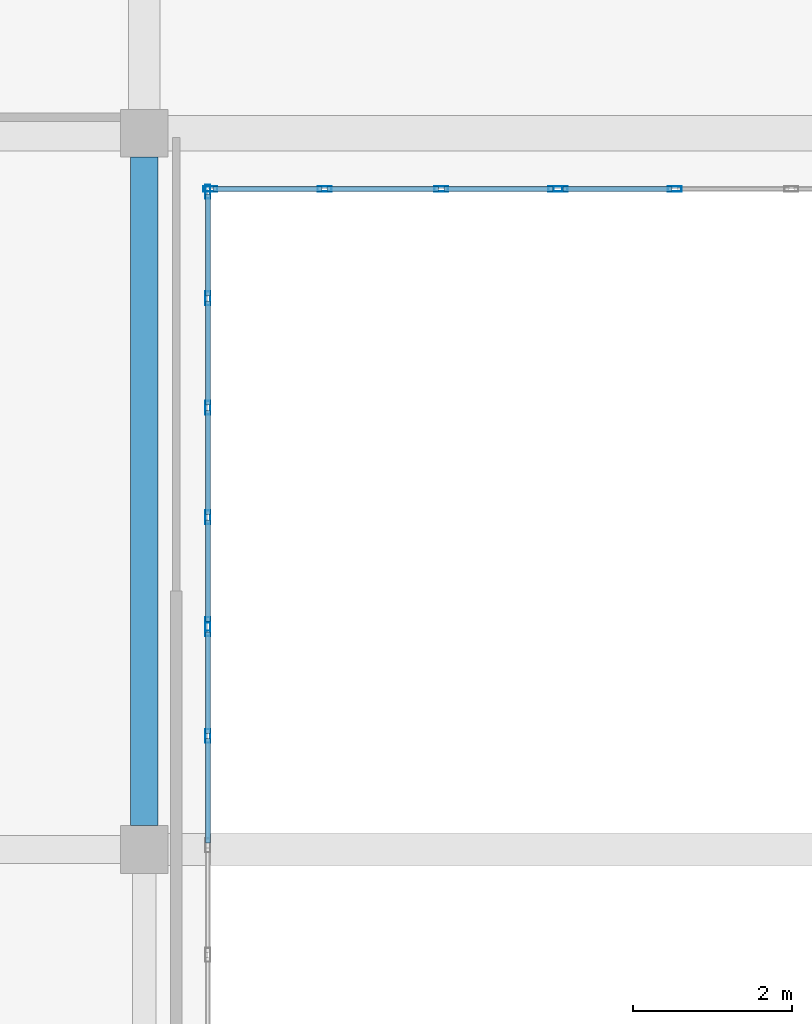
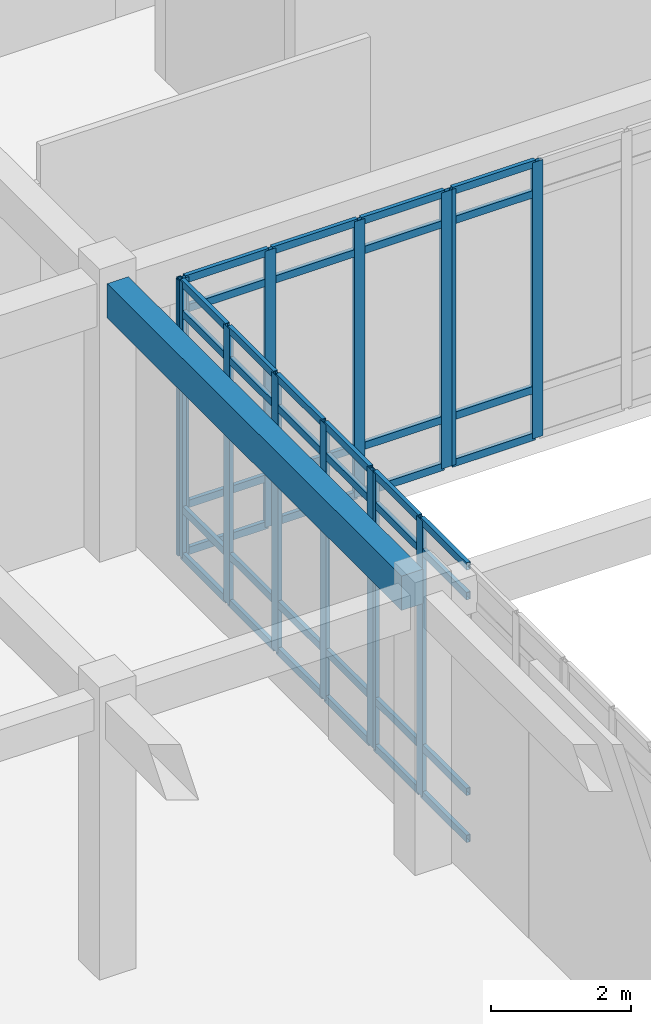
# One storey, part 70 of 121: 53 members, 1 beam, 4 elements without a shape of their own.
"""IFC4 building model written with IfcOpenShell, lengths in metres."""

from ifc_helpers import new_model, si_unit, direction, frame, origin, origin_2d, place, context, subcontext, project, spatial, rectangle, hollow_rectangle, extrude, material, layer, layer_set, material_profile, profile_set, type_object, element, aggregate, save


model = new_model("IFC4")

# Units and contexts
model_context = context("Model", 3, precision=1e-05, world=origin(), true_north=direction((0.0, 1.0)))
body_context = subcontext(model_context, "Body", "Model", "MODEL_VIEW")
ifc_project = project(units=[si_unit("LENGTHUNIT", "METRE"), si_unit("AREAUNIT", "SQUARE_METRE"), si_unit("VOLUMEUNIT", "CUBIC_METRE"), si_unit("PLANEANGLEUNIT", "RADIAN"), si_unit("MASSUNIT", "GRAM", prefix="KILO")], contexts=[model_context])

# Site, building, storey
site_placement = place(None, origin())
site = spatial("IfcSite", under=ifc_project, at=site_placement, CompositionType="ELEMENT")
building_placement = place(site_placement, origin())
building = spatial("IfcBuilding", under=site, at=building_placement, Name="Valcora Specialist Clinic", CompositionType="ELEMENT")
storey_placement = place(building_placement, origin())
storey = spatial("IfcBuildingStorey", under=building, at=storey_placement, Name="L00", CompositionType="ELEMENT", Elevation=0.0)

# Beam
ifc_material_1 = material(Name="Concrete C40/50", Category="concrete")
ifc_material_profile_1 = material_profile(ifc_material_1, rectangle(XDim=0.35009765625, YDim=0.60009765625, at=origin_2d()), Name="RC-BM-350X600")
ifc_profile_set_1 = profile_set([ifc_material_profile_1], Name="Concrete C40/50")
beam_type = type_object("IfcBeamType", Name="TY-BM-RC350X600", PredefinedType="BEAM", material=ifc_profile_set_1)
beam_placement = place(storey_placement, frame((111.199951171875, 90.5, 4.510009765625), z_axis=(0.0, 1.0, 0.0), x_axis=(-1.0, 0.0, 0.0)))
element("IfcBeam", 1, at=beam_placement, inside=storey, type_object=beam_type, Name="Beam BM-L00-0600", PredefinedType="BEAM", context=body_context, shape_type="SweptSolid", body=[
    extrude(rectangle(XDim=0.35009765625, YDim=0.60009765625, at=origin_2d()), origin(), (0.0, 0.0, 1.0), 8.39990234375),
])

# Curtain wall, members
ifc_material_2 = material(Name="Anodized Bronze Aluminium 6063-T6", Category="aluminium")
ifc_layer = layer(ifc_material_2, 0.175048828125)
ifc_layer_set = layer_set([ifc_layer], Name="Anodized Bronze Aluminium 6063-T6")
curtain_wall_type = type_object("IfcCurtainWallType", Name="TY-CW-CRT15", PredefinedType="NOTDEFINED", material=ifc_layer_set)
curtain_wall_1_placement = place(storey_placement, origin())
curtain_wall_1 = element("IfcCurtainWall", 2, at=curtain_wall_1_placement, inside=storey, type_object=curtain_wall_type, Name="Curtain wall CW-L00-048", PredefinedType="NOTDEFINED")
ifc_material_profile_2 = material_profile(ifc_material_2, hollow_rectangle(XDim=0.06494140625, YDim=0.175048828125, WallThickness=0.00390625, at=origin_2d()), Name="AL-MUL-65X175")
ifc_profile_set_2 = profile_set([ifc_material_profile_2], Name="Anodized Bronze Aluminium 6063-T6")
member_type_1 = type_object("IfcMemberType", Name="TY-CWM-65X175", PredefinedType="MULLION", material=ifc_profile_set_2)
member_1_placement = place(storey_placement, frame((117.86669921875, 98.5, 0.0), z_axis=(0.0, 0.0, 1.0), x_axis=(0.0, -1.0, 0.0)))
member_1 = element("IfcMember", 3, at=member_1_placement, type_object=member_type_1, Name="CW-CRT-15 mullion 3", PredefinedType="MULLION", context=body_context, shape_type="SweptSolid", body=[
    extrude(hollow_rectangle(XDim=0.06494140625, YDim=0.175048828125, WallThickness=0.00390625, at=origin_2d()), origin(), (0.0, 0.0, 1.0), 4.81005859375),
])
member_2_placement = place(storey_placement, frame((116.4326171875, 98.5, 0.0), z_axis=(0.0, 0.0, 1.0), x_axis=(0.0, -1.0, 0.0)))
member_2 = element("IfcMember", 4, at=member_2_placement, type_object=member_type_1, Name="CW-CRT-15 mullion 4", PredefinedType="MULLION", context=body_context, shape_type="SweptSolid", body=[
    extrude(hollow_rectangle(XDim=0.06494140625, YDim=0.175048828125, WallThickness=0.00390625, at=origin_2d()), origin(), (0.0, 0.0, 1.0), 4.81005859375),
])

curtain_wall_2_placement = place(storey_placement, origin())
curtain_wall_2 = element("IfcCurtainWall", 5, at=curtain_wall_2_placement, inside=storey, type_object=curtain_wall_type, Name="Curtain wall CW-L00-049", PredefinedType="NOTDEFINED")
member_3_placement = place(storey_placement, frame((116.367431640625, 98.5, 0.0), z_axis=(0.0, 0.0, 1.0), x_axis=(0.0, -1.0, 0.0)))
member_3 = element("IfcMember", 6, at=member_3_placement, type_object=member_type_1, Name="CW-CRT-15 mullion 1", PredefinedType="MULLION", context=body_context, shape_type="SweptSolid", body=[
    extrude(hollow_rectangle(XDim=0.06494140625, YDim=0.175048828125, WallThickness=0.00390625, at=origin_2d()), origin(), (0.0, 0.0, 1.0), 4.81005859375),
])
member_4_placement = place(storey_placement, frame((114.933349609375, 98.5, 0.0), z_axis=(0.0, 0.0, 1.0), x_axis=(0.0, -1.0, 0.0)))
member_4 = element("IfcMember", 7, at=member_4_placement, type_object=member_type_1, Name="CW-CRT-15 mullion 2", PredefinedType="MULLION", context=body_context, shape_type="SweptSolid", body=[
    extrude(hollow_rectangle(XDim=0.06494140625, YDim=0.175048828125, WallThickness=0.00390625, at=origin_2d()), origin(), (0.0, 0.0, 1.0), 4.81005859375),
])
member_5_placement = place(storey_placement, frame((113.466552734375, 98.5, 0.0), z_axis=(0.0, 0.0, 1.0), x_axis=(0.0, -1.0, 0.0)))
member_5 = element("IfcMember", 8, at=member_5_placement, type_object=member_type_1, Name="CW-CRT-15 mullion 3", PredefinedType="MULLION", context=body_context, shape_type="SweptSolid", body=[
    extrude(hollow_rectangle(XDim=0.06494140625, YDim=0.175048828125, WallThickness=0.00390625, at=origin_2d()), origin(), (0.0, 0.0, 1.0), 4.81005859375),
])
member_6_placement = place(storey_placement, frame((112.032470703125, 98.5, 0.0), z_axis=(0.0, 0.0, 1.0), x_axis=(0.0, -1.0, 0.0)))
member_6 = element("IfcMember", 9, at=member_6_placement, type_object=member_type_1, Name="CW-CRT-15 mullion 4", PredefinedType="MULLION", context=body_context, shape_type="SweptSolid", body=[
    extrude(hollow_rectangle(XDim=0.06494140625, YDim=0.175048828125, WallThickness=0.00390625, at=origin_2d()), origin(), (0.0, 0.0, 1.0), 4.81005859375),
])

curtain_wall_3_placement = place(storey_placement, origin())
curtain_wall_3 = element("IfcCurtainWall", 10, at=curtain_wall_3_placement, inside=storey, type_object=curtain_wall_type, Name="Curtain wall CW-L00-050", PredefinedType="NOTDEFINED")
member_7_placement = place(storey_placement, frame((112.0, 98.467529296875, 0.0), z_axis=(0.0, 0.0, 1.0), x_axis=(1.0, 0.0, 0.0)))
member_7 = element("IfcMember", 11, at=member_7_placement, type_object=member_type_1, Name="CW-CRT-15 mullion 1", PredefinedType="MULLION", context=body_context, shape_type="SweptSolid", body=[
    extrude(hollow_rectangle(XDim=0.06494140625, YDim=0.175048828125, WallThickness=0.00390625, at=origin_2d()), origin(), (0.0, 0.0, 1.0), 4.81005859375),
])
member_8_placement = place(storey_placement, frame((112.0, 97.125, 0.0), z_axis=(0.0, 0.0, 1.0), x_axis=(1.0, 0.0, 0.0)))
member_8 = element("IfcMember", 12, at=member_8_placement, type_object=member_type_1, Name="CW-CRT-15 mullion 2", PredefinedType="MULLION", context=body_context, shape_type="SweptSolid", body=[
    extrude(hollow_rectangle(XDim=0.06494140625, YDim=0.175048828125, WallThickness=0.00390625, at=origin_2d()), origin(), (0.0, 0.0, 1.0), 4.81005859375),
])
member_9_placement = place(storey_placement, frame((112.0, 95.75, 0.0), z_axis=(0.0, 0.0, 1.0), x_axis=(1.0, 0.0, 0.0)))
member_9 = element("IfcMember", 13, at=member_9_placement, type_object=member_type_1, Name="CW-CRT-15 mullion 3", PredefinedType="MULLION", context=body_context, shape_type="SweptSolid", body=[
    extrude(hollow_rectangle(XDim=0.06494140625, YDim=0.175048828125, WallThickness=0.00390625, at=origin_2d()), origin(), (0.0, 0.0, 1.0), 4.81005859375),
])
member_10_placement = place(storey_placement, frame((112.0, 94.375, 0.0), z_axis=(0.0, 0.0, 1.0), x_axis=(1.0, 0.0, 0.0)))
member_10 = element("IfcMember", 14, at=member_10_placement, type_object=member_type_1, Name="CW-CRT-15 mullion 4", PredefinedType="MULLION", context=body_context, shape_type="SweptSolid", body=[
    extrude(hollow_rectangle(XDim=0.06494140625, YDim=0.175048828125, WallThickness=0.00390625, at=origin_2d()), origin(), (0.0, 0.0, 1.0), 4.81005859375),
])
member_11_placement = place(storey_placement, frame((112.0, 93.032470703125, 0.0), z_axis=(0.0, 0.0, 1.0), x_axis=(1.0, 0.0, 0.0)))
member_11 = element("IfcMember", 15, at=member_11_placement, type_object=member_type_1, Name="CW-CRT-15 mullion 5", PredefinedType="MULLION", context=body_context, shape_type="SweptSolid", body=[
    extrude(hollow_rectangle(XDim=0.06494140625, YDim=0.175048828125, WallThickness=0.00390625, at=origin_2d()), origin(), (0.0, 0.0, 1.0), 4.81005859375),
])

curtain_wall_4_placement = place(storey_placement, origin())
curtain_wall_4 = element("IfcCurtainWall", 16, at=curtain_wall_4_placement, inside=storey, type_object=curtain_wall_type, Name="Curtain wall CW-L00-051", PredefinedType="NOTDEFINED")
member_12_placement = place(storey_placement, frame((112.0, 92.967529296875, 0.0), z_axis=(0.0, 0.0, 1.0), x_axis=(1.0, 0.0, 0.0)))
member_12 = element("IfcMember", 17, at=member_12_placement, type_object=member_type_1, Name="CW-CRT-15 mullion 1", PredefinedType="MULLION", context=body_context, shape_type="SweptSolid", body=[
    extrude(hollow_rectangle(XDim=0.06494140625, YDim=0.175048828125, WallThickness=0.00390625, at=origin_2d()), origin(), (0.0, 0.0, 1.0), 4.81005859375),
])
member_13_placement = place(storey_placement, frame((112.0, 91.625, 0.0), z_axis=(0.0, 0.0, 1.0), x_axis=(1.0, 0.0, 0.0)))
member_13 = element("IfcMember", 18, at=member_13_placement, type_object=member_type_1, Name="CW-CRT-15 mullion 2", PredefinedType="MULLION", context=body_context, shape_type="SweptSolid", body=[
    extrude(hollow_rectangle(XDim=0.06494140625, YDim=0.175048828125, WallThickness=0.00390625, at=origin_2d()), origin(), (0.0, 0.0, 1.0), 4.81005859375),
])

# Member
ifc_material_profile_3 = material_profile(ifc_material_2, hollow_rectangle(XDim=0.06494140625, YDim=0.1298828125, WallThickness=0.00390625, at=origin_2d()), Name="AL-TRN-65X130")
ifc_profile_set_3 = profile_set([ifc_material_profile_3], Name="Anodized Bronze Aluminium 6063-T6")
member_type_2 = type_object("IfcMemberType", Name="TY-CWT-65X130", PredefinedType="USERDEFINED", material=ifc_profile_set_3)
member_14_placement = place(storey_placement, frame((117.834228515625, 98.5, 0.032470703125), z_axis=(-1.0, 0.0, 0.0), x_axis=(0.0, -1.0, 0.0)))
member_14 = element("IfcMember", 19, at=member_14_placement, type_object=member_type_2, Name="CW-CRT-15 transom 3.1", ObjectType="TRANSOM", PredefinedType="USERDEFINED", context=body_context, shape_type="SweptSolid", body=[
    extrude(hollow_rectangle(XDim=0.06494140625, YDim=0.1298828125, WallThickness=0.00390625, at=origin_2d()), origin(), (0.0, 0.0, 1.0), 1.369140625),
])

member_15_placement = place(storey_placement, frame((117.834228515625, 98.5, 0.85009765625), z_axis=(-1.0, 0.0, 0.0), x_axis=(0.0, -1.0, 0.0)))
member_15 = element("IfcMember", 20, at=member_15_placement, type_object=member_type_2, Name="CW-CRT-15 transom 3.2", ObjectType="TRANSOM", PredefinedType="USERDEFINED", context=body_context, shape_type="SweptSolid", body=[
    extrude(hollow_rectangle(XDim=0.06494140625, YDim=0.1298828125, WallThickness=0.00390625, at=origin_2d()), origin(), (0.0, 0.0, 1.0), 1.369140625),
])

member_16_placement = place(storey_placement, frame((117.834228515625, 98.5, 4.260009765625), z_axis=(-1.0, 0.0, 0.0), x_axis=(0.0, -1.0, 0.0)))
member_16 = element("IfcMember", 21, at=member_16_placement, type_object=member_type_2, Name="CW-CRT-15 transom 3.3", ObjectType="TRANSOM", PredefinedType="USERDEFINED", context=body_context, shape_type="SweptSolid", body=[
    extrude(hollow_rectangle(XDim=0.06494140625, YDim=0.1298828125, WallThickness=0.00390625, at=origin_2d()), origin(), (0.0, 0.0, 1.0), 1.369140625),
])

member_17_placement = place(storey_placement, frame((117.834228515625, 98.5, 4.777587890625), z_axis=(-1.0, 0.0, 0.0), x_axis=(0.0, -1.0, 0.0)))
member_17 = element("IfcMember", 22, at=member_17_placement, type_object=member_type_2, Name="CW-CRT-15 transom 3.4", ObjectType="TRANSOM", PredefinedType="USERDEFINED", context=body_context, shape_type="SweptSolid", body=[
    extrude(hollow_rectangle(XDim=0.06494140625, YDim=0.1298828125, WallThickness=0.00390625, at=origin_2d()), origin(), (0.0, 0.0, 1.0), 1.369140625),
])

aggregate(curtain_wall_1, [member_1, member_2, member_14, member_15, member_16, member_17])

member_18_placement = place(storey_placement, frame((116.3349609375, 98.5, 0.032470703125), z_axis=(-1.0, 0.0, 0.0), x_axis=(0.0, -1.0, 0.0)))
member_18 = element("IfcMember", 23, at=member_18_placement, type_object=member_type_2, Name="CW-CRT-15 transom 1.1", ObjectType="TRANSOM", PredefinedType="USERDEFINED", context=body_context, shape_type="SweptSolid", body=[
    extrude(hollow_rectangle(XDim=0.06494140625, YDim=0.1298828125, WallThickness=0.00390625, at=origin_2d()), origin(), (0.0, 0.0, 1.0), 1.369140625),
])

member_19_placement = place(storey_placement, frame((116.3349609375, 98.5, 0.85009765625), z_axis=(-1.0, 0.0, 0.0), x_axis=(0.0, -1.0, 0.0)))
member_19 = element("IfcMember", 24, at=member_19_placement, type_object=member_type_2, Name="CW-CRT-15 transom 1.2", ObjectType="TRANSOM", PredefinedType="USERDEFINED", context=body_context, shape_type="SweptSolid", body=[
    extrude(hollow_rectangle(XDim=0.06494140625, YDim=0.1298828125, WallThickness=0.00390625, at=origin_2d()), origin(), (0.0, 0.0, 1.0), 1.369140625),
])

member_20_placement = place(storey_placement, frame((116.3349609375, 98.5, 4.260009765625), z_axis=(-1.0, 0.0, 0.0), x_axis=(0.0, -1.0, 0.0)))
member_20 = element("IfcMember", 25, at=member_20_placement, type_object=member_type_2, Name="CW-CRT-15 transom 1.3", ObjectType="TRANSOM", PredefinedType="USERDEFINED", context=body_context, shape_type="SweptSolid", body=[
    extrude(hollow_rectangle(XDim=0.06494140625, YDim=0.1298828125, WallThickness=0.00390625, at=origin_2d()), origin(), (0.0, 0.0, 1.0), 1.369140625),
])

member_21_placement = place(storey_placement, frame((116.3349609375, 98.5, 4.777587890625), z_axis=(-1.0, 0.0, 0.0), x_axis=(0.0, -1.0, 0.0)))
member_21 = element("IfcMember", 26, at=member_21_placement, type_object=member_type_2, Name="CW-CRT-15 transom 1.4", ObjectType="TRANSOM", PredefinedType="USERDEFINED", context=body_context, shape_type="SweptSolid", body=[
    extrude(hollow_rectangle(XDim=0.06494140625, YDim=0.1298828125, WallThickness=0.00390625, at=origin_2d()), origin(), (0.0, 0.0, 1.0), 1.369140625),
])

member_22_placement = place(storey_placement, frame((114.90087890625, 98.5, 0.032470703125), z_axis=(-1.0, 0.0, 0.0), x_axis=(0.0, -1.0, 0.0)))
member_22 = element("IfcMember", 27, at=member_22_placement, type_object=member_type_2, Name="CW-CRT-15 transom 2.1", ObjectType="TRANSOM", PredefinedType="USERDEFINED", context=body_context, shape_type="SweptSolid", body=[
    extrude(hollow_rectangle(XDim=0.06494140625, YDim=0.1298828125, WallThickness=0.00390625, at=origin_2d()), origin(), (0.0, 0.0, 1.0), 1.401611328125),
])

member_23_placement = place(storey_placement, frame((114.90087890625, 98.5, 0.85009765625), z_axis=(-1.0, 0.0, 0.0), x_axis=(0.0, -1.0, 0.0)))
member_23 = element("IfcMember", 28, at=member_23_placement, type_object=member_type_2, Name="CW-CRT-15 transom 2.2", ObjectType="TRANSOM", PredefinedType="USERDEFINED", context=body_context, shape_type="SweptSolid", body=[
    extrude(hollow_rectangle(XDim=0.06494140625, YDim=0.1298828125, WallThickness=0.00390625, at=origin_2d()), origin(), (0.0, 0.0, 1.0), 1.401611328125),
])

member_24_placement = place(storey_placement, frame((114.90087890625, 98.5, 4.260009765625), z_axis=(-1.0, 0.0, 0.0), x_axis=(0.0, -1.0, 0.0)))
member_24 = element("IfcMember", 29, at=member_24_placement, type_object=member_type_2, Name="CW-CRT-15 transom 2.3", ObjectType="TRANSOM", PredefinedType="USERDEFINED", context=body_context, shape_type="SweptSolid", body=[
    extrude(hollow_rectangle(XDim=0.06494140625, YDim=0.1298828125, WallThickness=0.00390625, at=origin_2d()), origin(), (0.0, 0.0, 1.0), 1.401611328125),
])

member_25_placement = place(storey_placement, frame((114.90087890625, 98.5, 4.777587890625), z_axis=(-1.0, 0.0, 0.0), x_axis=(0.0, -1.0, 0.0)))
member_25 = element("IfcMember", 30, at=member_25_placement, type_object=member_type_2, Name="CW-CRT-15 transom 2.4", ObjectType="TRANSOM", PredefinedType="USERDEFINED", context=body_context, shape_type="SweptSolid", body=[
    extrude(hollow_rectangle(XDim=0.06494140625, YDim=0.1298828125, WallThickness=0.00390625, at=origin_2d()), origin(), (0.0, 0.0, 1.0), 1.401611328125),
])

member_26_placement = place(storey_placement, frame((113.43408203125, 98.5, 0.032470703125), z_axis=(-1.0, 0.0, 0.0), x_axis=(0.0, -1.0, 0.0)))
member_26 = element("IfcMember", 31, at=member_26_placement, type_object=member_type_2, Name="CW-CRT-15 transom 3.1", ObjectType="TRANSOM", PredefinedType="USERDEFINED", context=body_context, shape_type="SweptSolid", body=[
    extrude(hollow_rectangle(XDim=0.06494140625, YDim=0.1298828125, WallThickness=0.00390625, at=origin_2d()), origin(), (0.0, 0.0, 1.0), 1.369140625),
])

member_27_placement = place(storey_placement, frame((113.43408203125, 98.5, 0.85009765625), z_axis=(-1.0, 0.0, 0.0), x_axis=(0.0, -1.0, 0.0)))
member_27 = element("IfcMember", 32, at=member_27_placement, type_object=member_type_2, Name="CW-CRT-15 transom 3.2", ObjectType="TRANSOM", PredefinedType="USERDEFINED", context=body_context, shape_type="SweptSolid", body=[
    extrude(hollow_rectangle(XDim=0.06494140625, YDim=0.1298828125, WallThickness=0.00390625, at=origin_2d()), origin(), (0.0, 0.0, 1.0), 1.369140625),
])

member_28_placement = place(storey_placement, frame((113.43408203125, 98.5, 4.260009765625), z_axis=(-1.0, 0.0, 0.0), x_axis=(0.0, -1.0, 0.0)))
member_28 = element("IfcMember", 33, at=member_28_placement, type_object=member_type_2, Name="CW-CRT-15 transom 3.3", ObjectType="TRANSOM", PredefinedType="USERDEFINED", context=body_context, shape_type="SweptSolid", body=[
    extrude(hollow_rectangle(XDim=0.06494140625, YDim=0.1298828125, WallThickness=0.00390625, at=origin_2d()), origin(), (0.0, 0.0, 1.0), 1.369140625),
])

member_29_placement = place(storey_placement, frame((113.43408203125, 98.5, 4.777587890625), z_axis=(-1.0, 0.0, 0.0), x_axis=(0.0, -1.0, 0.0)))
member_29 = element("IfcMember", 34, at=member_29_placement, type_object=member_type_2, Name="CW-CRT-15 transom 3.4", ObjectType="TRANSOM", PredefinedType="USERDEFINED", context=body_context, shape_type="SweptSolid", body=[
    extrude(hollow_rectangle(XDim=0.06494140625, YDim=0.1298828125, WallThickness=0.00390625, at=origin_2d()), origin(), (0.0, 0.0, 1.0), 1.369140625),
])

aggregate(curtain_wall_2, [member_3, member_4, member_5, member_6, member_18, member_19, member_20, member_21, member_22, member_23, member_24, member_25, member_26, member_27, member_28, member_29])

member_30_placement = place(storey_placement, frame((112.0, 98.43505859375, 0.032470703125), z_axis=(0.0, -1.0, 0.0), x_axis=(1.0, 0.0, 0.0)))
member_30 = element("IfcMember", 35, at=member_30_placement, type_object=member_type_2, Name="CW-CRT-15 transom 1.1", ObjectType="TRANSOM", PredefinedType="USERDEFINED", context=body_context, shape_type="SweptSolid", body=[
    extrude(hollow_rectangle(XDim=0.06494140625, YDim=0.1298828125, WallThickness=0.00390625, at=origin_2d()), origin(), (0.0, 0.0, 1.0), 1.277587890625),
])

member_31_placement = place(storey_placement, frame((112.0, 98.43505859375, 0.85009765625), z_axis=(0.0, -1.0, 0.0), x_axis=(1.0, 0.0, 0.0)))
member_31 = element("IfcMember", 36, at=member_31_placement, type_object=member_type_2, Name="CW-CRT-15 transom 1.2", ObjectType="TRANSOM", PredefinedType="USERDEFINED", context=body_context, shape_type="SweptSolid", body=[
    extrude(hollow_rectangle(XDim=0.06494140625, YDim=0.1298828125, WallThickness=0.00390625, at=origin_2d()), origin(), (0.0, 0.0, 1.0), 1.277587890625),
])

member_32_placement = place(storey_placement, frame((112.0, 98.43505859375, 4.260009765625), z_axis=(0.0, -1.0, 0.0), x_axis=(1.0, 0.0, 0.0)))
member_32 = element("IfcMember", 37, at=member_32_placement, type_object=member_type_2, Name="CW-CRT-15 transom 1.3", ObjectType="TRANSOM", PredefinedType="USERDEFINED", context=body_context, shape_type="SweptSolid", body=[
    extrude(hollow_rectangle(XDim=0.06494140625, YDim=0.1298828125, WallThickness=0.00390625, at=origin_2d()), origin(), (0.0, 0.0, 1.0), 1.277587890625),
])

member_33_placement = place(storey_placement, frame((112.0, 98.43505859375, 4.777587890625), z_axis=(0.0, -1.0, 0.0), x_axis=(1.0, 0.0, 0.0)))
member_33 = element("IfcMember", 38, at=member_33_placement, type_object=member_type_2, Name="CW-CRT-15 transom 1.4", ObjectType="TRANSOM", PredefinedType="USERDEFINED", context=body_context, shape_type="SweptSolid", body=[
    extrude(hollow_rectangle(XDim=0.06494140625, YDim=0.1298828125, WallThickness=0.00390625, at=origin_2d()), origin(), (0.0, 0.0, 1.0), 1.277587890625),
])

member_34_placement = place(storey_placement, frame((112.0, 97.092529296875, 0.032470703125), z_axis=(0.0, -1.0, 0.0), x_axis=(1.0, 0.0, 0.0)))
member_34 = element("IfcMember", 39, at=member_34_placement, type_object=member_type_2, Name="CW-CRT-15 transom 2.1", ObjectType="TRANSOM", PredefinedType="USERDEFINED", context=body_context, shape_type="SweptSolid", body=[
    extrude(hollow_rectangle(XDim=0.06494140625, YDim=0.1298828125, WallThickness=0.00390625, at=origin_2d()), origin(), (0.0, 0.0, 1.0), 1.31005859375),
])

member_35_placement = place(storey_placement, frame((112.0, 97.092529296875, 0.85009765625), z_axis=(0.0, -1.0, 0.0), x_axis=(1.0, 0.0, 0.0)))
member_35 = element("IfcMember", 40, at=member_35_placement, type_object=member_type_2, Name="CW-CRT-15 transom 2.2", ObjectType="TRANSOM", PredefinedType="USERDEFINED", context=body_context, shape_type="SweptSolid", body=[
    extrude(hollow_rectangle(XDim=0.06494140625, YDim=0.1298828125, WallThickness=0.00390625, at=origin_2d()), origin(), (0.0, 0.0, 1.0), 1.31005859375),
])

member_36_placement = place(storey_placement, frame((112.0, 97.092529296875, 4.260009765625), z_axis=(0.0, -1.0, 0.0), x_axis=(1.0, 0.0, 0.0)))
member_36 = element("IfcMember", 41, at=member_36_placement, type_object=member_type_2, Name="CW-CRT-15 transom 2.3", ObjectType="TRANSOM", PredefinedType="USERDEFINED", context=body_context, shape_type="SweptSolid", body=[
    extrude(hollow_rectangle(XDim=0.06494140625, YDim=0.1298828125, WallThickness=0.00390625, at=origin_2d()), origin(), (0.0, 0.0, 1.0), 1.31005859375),
])

member_37_placement = place(storey_placement, frame((112.0, 97.092529296875, 4.777587890625), z_axis=(0.0, -1.0, 0.0), x_axis=(1.0, 0.0, 0.0)))
member_37 = element("IfcMember", 42, at=member_37_placement, type_object=member_type_2, Name="CW-CRT-15 transom 2.4", ObjectType="TRANSOM", PredefinedType="USERDEFINED", context=body_context, shape_type="SweptSolid", body=[
    extrude(hollow_rectangle(XDim=0.06494140625, YDim=0.1298828125, WallThickness=0.00390625, at=origin_2d()), origin(), (0.0, 0.0, 1.0), 1.31005859375),
])

member_38_placement = place(storey_placement, frame((112.0, 95.717529296875, 0.032470703125), z_axis=(0.0, -1.0, 0.0), x_axis=(1.0, 0.0, 0.0)))
member_38 = element("IfcMember", 43, at=member_38_placement, type_object=member_type_2, Name="CW-CRT-15 transom 3.1", ObjectType="TRANSOM", PredefinedType="USERDEFINED", context=body_context, shape_type="SweptSolid", body=[
    extrude(hollow_rectangle(XDim=0.06494140625, YDim=0.1298828125, WallThickness=0.00390625, at=origin_2d()), origin(), (0.0, 0.0, 1.0), 1.31005859375),
])

member_39_placement = place(storey_placement, frame((112.0, 95.717529296875, 0.85009765625), z_axis=(0.0, -1.0, 0.0), x_axis=(1.0, 0.0, 0.0)))
member_39 = element("IfcMember", 44, at=member_39_placement, type_object=member_type_2, Name="CW-CRT-15 transom 3.2", ObjectType="TRANSOM", PredefinedType="USERDEFINED", context=body_context, shape_type="SweptSolid", body=[
    extrude(hollow_rectangle(XDim=0.06494140625, YDim=0.1298828125, WallThickness=0.00390625, at=origin_2d()), origin(), (0.0, 0.0, 1.0), 1.31005859375),
])

member_40_placement = place(storey_placement, frame((112.0, 95.717529296875, 4.260009765625), z_axis=(0.0, -1.0, 0.0), x_axis=(1.0, 0.0, 0.0)))
member_40 = element("IfcMember", 45, at=member_40_placement, type_object=member_type_2, Name="CW-CRT-15 transom 3.3", ObjectType="TRANSOM", PredefinedType="USERDEFINED", context=body_context, shape_type="SweptSolid", body=[
    extrude(hollow_rectangle(XDim=0.06494140625, YDim=0.1298828125, WallThickness=0.00390625, at=origin_2d()), origin(), (0.0, 0.0, 1.0), 1.31005859375),
])

member_41_placement = place(storey_placement, frame((112.0, 95.717529296875, 4.777587890625), z_axis=(0.0, -1.0, 0.0), x_axis=(1.0, 0.0, 0.0)))
member_41 = element("IfcMember", 46, at=member_41_placement, type_object=member_type_2, Name="CW-CRT-15 transom 3.4", ObjectType="TRANSOM", PredefinedType="USERDEFINED", context=body_context, shape_type="SweptSolid", body=[
    extrude(hollow_rectangle(XDim=0.06494140625, YDim=0.1298828125, WallThickness=0.00390625, at=origin_2d()), origin(), (0.0, 0.0, 1.0), 1.31005859375),
])

member_42_placement = place(storey_placement, frame((112.0, 94.342529296875, 0.032470703125), z_axis=(0.0, -1.0, 0.0), x_axis=(1.0, 0.0, 0.0)))
member_42 = element("IfcMember", 47, at=member_42_placement, type_object=member_type_2, Name="CW-CRT-15 transom 4.1", ObjectType="TRANSOM", PredefinedType="USERDEFINED", context=body_context, shape_type="SweptSolid", body=[
    extrude(hollow_rectangle(XDim=0.06494140625, YDim=0.1298828125, WallThickness=0.00390625, at=origin_2d()), origin(), (0.0, 0.0, 1.0), 1.277587890625),
])

member_43_placement = place(storey_placement, frame((112.0, 94.342529296875, 0.85009765625), z_axis=(0.0, -1.0, 0.0), x_axis=(1.0, 0.0, 0.0)))
member_43 = element("IfcMember", 48, at=member_43_placement, type_object=member_type_2, Name="CW-CRT-15 transom 4.2", ObjectType="TRANSOM", PredefinedType="USERDEFINED", context=body_context, shape_type="SweptSolid", body=[
    extrude(hollow_rectangle(XDim=0.06494140625, YDim=0.1298828125, WallThickness=0.00390625, at=origin_2d()), origin(), (0.0, 0.0, 1.0), 1.277587890625),
])

member_44_placement = place(storey_placement, frame((112.0, 94.342529296875, 4.260009765625), z_axis=(0.0, -1.0, 0.0), x_axis=(1.0, 0.0, 0.0)))
member_44 = element("IfcMember", 49, at=member_44_placement, type_object=member_type_2, Name="CW-CRT-15 transom 4.3", ObjectType="TRANSOM", PredefinedType="USERDEFINED", context=body_context, shape_type="SweptSolid", body=[
    extrude(hollow_rectangle(XDim=0.06494140625, YDim=0.1298828125, WallThickness=0.00390625, at=origin_2d()), origin(), (0.0, 0.0, 1.0), 1.277587890625),
])

member_45_placement = place(storey_placement, frame((112.0, 94.342529296875, 4.777587890625), z_axis=(0.0, -1.0, 0.0), x_axis=(1.0, 0.0, 0.0)))
member_45 = element("IfcMember", 50, at=member_45_placement, type_object=member_type_2, Name="CW-CRT-15 transom 4.4", ObjectType="TRANSOM", PredefinedType="USERDEFINED", context=body_context, shape_type="SweptSolid", body=[
    extrude(hollow_rectangle(XDim=0.06494140625, YDim=0.1298828125, WallThickness=0.00390625, at=origin_2d()), origin(), (0.0, 0.0, 1.0), 1.277587890625),
])

aggregate(curtain_wall_3, [member_7, member_8, member_9, member_10, member_11, member_30, member_31, member_32, member_33, member_34, member_35, member_36, member_37, member_38, member_39, member_40, member_41, member_42, member_43, member_44, member_45])

member_46_placement = place(storey_placement, frame((112.0, 92.93505859375, 0.032470703125), z_axis=(0.0, -1.0, 0.0), x_axis=(1.0, 0.0, 0.0)))
member_46 = element("IfcMember", 51, at=member_46_placement, type_object=member_type_2, Name="CW-CRT-15 transom 1.1", ObjectType="TRANSOM", PredefinedType="USERDEFINED", context=body_context, shape_type="SweptSolid", body=[
    extrude(hollow_rectangle(XDim=0.06494140625, YDim=0.1298828125, WallThickness=0.00390625, at=origin_2d()), origin(), (0.0, 0.0, 1.0), 1.277587890625),
])

member_47_placement = place(storey_placement, frame((112.0, 92.93505859375, 0.85009765625), z_axis=(0.0, -1.0, 0.0), x_axis=(1.0, 0.0, 0.0)))
member_47 = element("IfcMember", 52, at=member_47_placement, type_object=member_type_2, Name="CW-CRT-15 transom 1.2", ObjectType="TRANSOM", PredefinedType="USERDEFINED", context=body_context, shape_type="SweptSolid", body=[
    extrude(hollow_rectangle(XDim=0.06494140625, YDim=0.1298828125, WallThickness=0.00390625, at=origin_2d()), origin(), (0.0, 0.0, 1.0), 1.277587890625),
])

member_48_placement = place(storey_placement, frame((112.0, 92.93505859375, 4.260009765625), z_axis=(0.0, -1.0, 0.0), x_axis=(1.0, 0.0, 0.0)))
member_48 = element("IfcMember", 53, at=member_48_placement, type_object=member_type_2, Name="CW-CRT-15 transom 1.3", ObjectType="TRANSOM", PredefinedType="USERDEFINED", context=body_context, shape_type="SweptSolid", body=[
    extrude(hollow_rectangle(XDim=0.06494140625, YDim=0.1298828125, WallThickness=0.00390625, at=origin_2d()), origin(), (0.0, 0.0, 1.0), 1.277587890625),
])

member_49_placement = place(storey_placement, frame((112.0, 92.93505859375, 4.777587890625), z_axis=(0.0, -1.0, 0.0), x_axis=(1.0, 0.0, 0.0)))
member_49 = element("IfcMember", 54, at=member_49_placement, type_object=member_type_2, Name="CW-CRT-15 transom 1.4", ObjectType="TRANSOM", PredefinedType="USERDEFINED", context=body_context, shape_type="SweptSolid", body=[
    extrude(hollow_rectangle(XDim=0.06494140625, YDim=0.1298828125, WallThickness=0.00390625, at=origin_2d()), origin(), (0.0, 0.0, 1.0), 1.277587890625),
])

member_50_placement = place(storey_placement, frame((112.0, 91.592529296875, 0.032470703125), z_axis=(0.0, -1.0, 0.0), x_axis=(1.0, 0.0, 0.0)))
member_50 = element("IfcMember", 55, at=member_50_placement, type_object=member_type_2, Name="CW-CRT-15 transom 2.1", ObjectType="TRANSOM", PredefinedType="USERDEFINED", context=body_context, shape_type="SweptSolid", body=[
    extrude(hollow_rectangle(XDim=0.06494140625, YDim=0.1298828125, WallThickness=0.00390625, at=origin_2d()), origin(), (0.0, 0.0, 1.0), 1.31005859375),
])

member_51_placement = place(storey_placement, frame((112.0, 91.592529296875, 0.85009765625), z_axis=(0.0, -1.0, 0.0), x_axis=(1.0, 0.0, 0.0)))
member_51 = element("IfcMember", 56, at=member_51_placement, type_object=member_type_2, Name="CW-CRT-15 transom 2.2", ObjectType="TRANSOM", PredefinedType="USERDEFINED", context=body_context, shape_type="SweptSolid", body=[
    extrude(hollow_rectangle(XDim=0.06494140625, YDim=0.1298828125, WallThickness=0.00390625, at=origin_2d()), origin(), (0.0, 0.0, 1.0), 1.31005859375),
])

member_52_placement = place(storey_placement, frame((112.0, 91.592529296875, 4.260009765625), z_axis=(0.0, -1.0, 0.0), x_axis=(1.0, 0.0, 0.0)))
member_52 = element("IfcMember", 57, at=member_52_placement, type_object=member_type_2, Name="CW-CRT-15 transom 2.3", ObjectType="TRANSOM", PredefinedType="USERDEFINED", context=body_context, shape_type="SweptSolid", body=[
    extrude(hollow_rectangle(XDim=0.06494140625, YDim=0.1298828125, WallThickness=0.00390625, at=origin_2d()), origin(), (0.0, 0.0, 1.0), 1.31005859375),
])

member_53_placement = place(storey_placement, frame((112.0, 91.592529296875, 4.777587890625), z_axis=(0.0, -1.0, 0.0), x_axis=(1.0, 0.0, 0.0)))
member_53 = element("IfcMember", 58, at=member_53_placement, type_object=member_type_2, Name="CW-CRT-15 transom 2.4", ObjectType="TRANSOM", PredefinedType="USERDEFINED", context=body_context, shape_type="SweptSolid", body=[
    extrude(hollow_rectangle(XDim=0.06494140625, YDim=0.1298828125, WallThickness=0.00390625, at=origin_2d()), origin(), (0.0, 0.0, 1.0), 1.31005859375),
])

aggregate(curtain_wall_4, [member_12, member_13, member_46, member_47, member_48, member_49, member_50, member_51, member_52, member_53])

save(model, "model.ifc")
